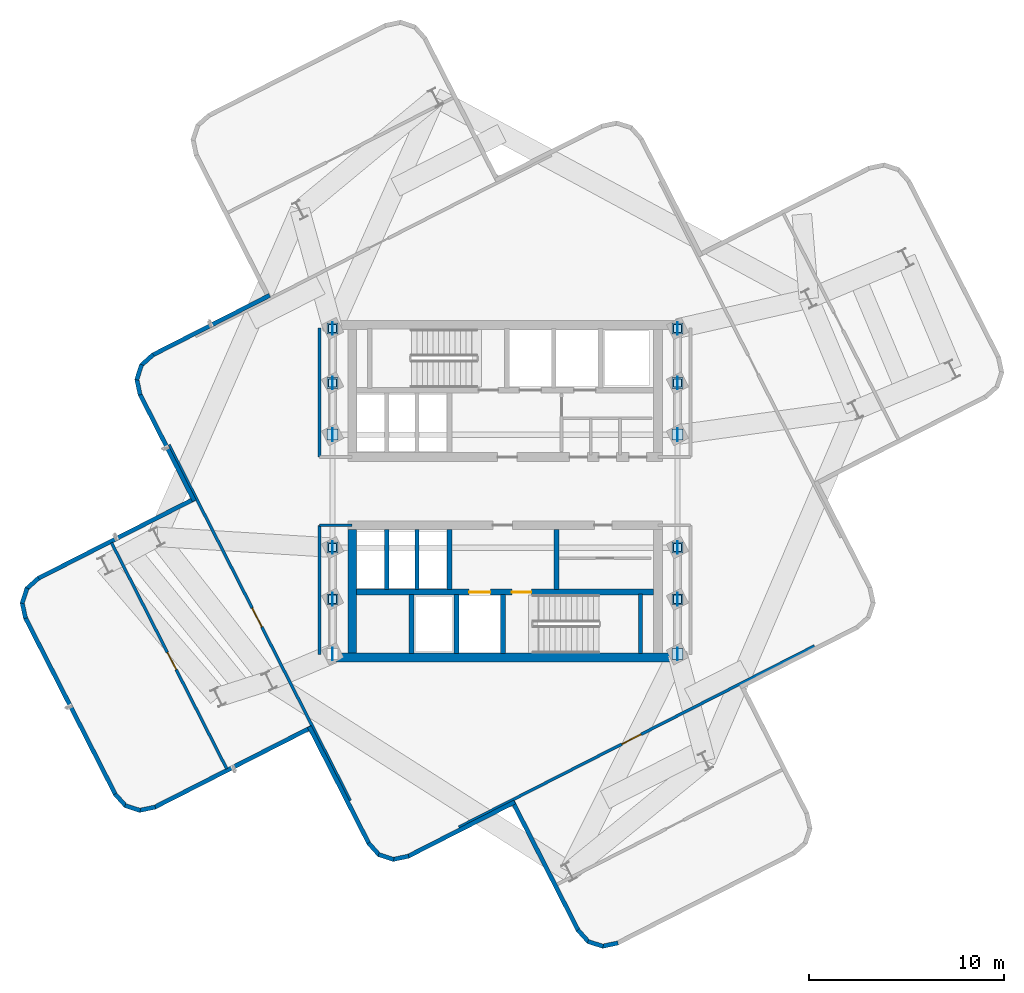
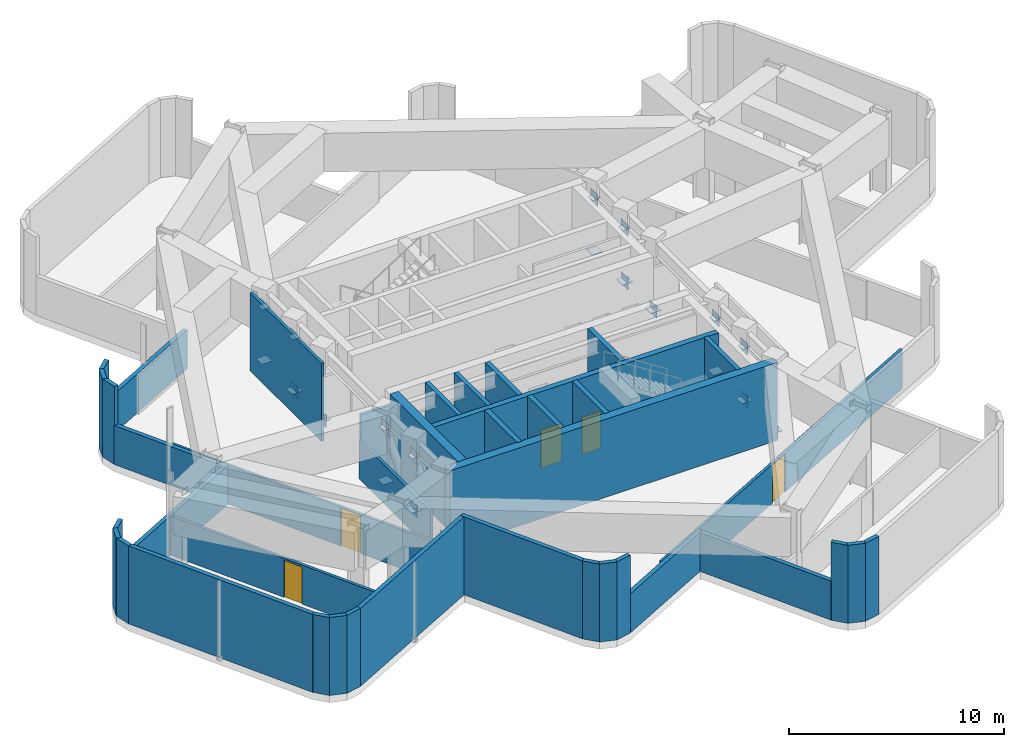
# One storey, part 3 of 6: 40 walls, 35 plates, 5 doors, 5 openings.
"""IFC4 building model written with IfcOpenShell, lengths in metres."""

from ifc_helpers import new_model, si_unit, direction, frame, frame_2d, origin, origin_2d, place, context, subcontext, project, spatial, rectangle, extrude, material, layer, layer_set, type_object, element, fill, save


model = new_model("IFC4")

# Units and contexts
model_context = context("Model", 3, precision=1e-05, world=origin(), true_north=direction((0.0, 1.0)))
body_context = subcontext(model_context, "Body", "Model", "MODEL_VIEW")
ifc_project = project(units=[si_unit("LENGTHUNIT", "METRE"), si_unit("AREAUNIT", "SQUARE_METRE"), si_unit("VOLUMEUNIT", "CUBIC_METRE"), si_unit("PLANEANGLEUNIT", "RADIAN"), si_unit("MASSUNIT", "GRAM", prefix="KILO")], contexts=[model_context])

# Site, building, storey
site_placement = place(None, origin())
site = spatial("IfcSite", under=ifc_project, at=site_placement, CompositionType="ELEMENT")
building_placement = place(site_placement, origin())
building = spatial("IfcBuilding", under=site, at=building_placement, Name="Solmarez Civic Tower", CompositionType="ELEMENT")
storey_placement = place(building_placement, frame((0.0, 0.0, 196.199951171875)))
storey = spatial("IfcBuildingStorey", under=building, at=storey_placement, Name="L52", CompositionType="ELEMENT", Elevation=196.199951171875)

# Plates
ifc_material_1 = material(Name="Steel S355", Category="steel")
ifc_layer_1 = layer(ifc_material_1, 0.02392578125)
ifc_layer_set_1 = layer_set([ifc_layer_1], Name="Steel S355")
plate_type_1 = type_object("IfcPlateType", Name="PLT-CAP-380", PredefinedType="USERDEFINED", material=ifc_layer_set_1)
for number, where, z_axis, x_axis, name in (
    (1, (-8.85009765625, -5.550048828125, 3.358154296875), (0.0, 0.0, 1.0), (1.0, 0.0, 0.0), "Steel Member End Cap Plate CAP-BRC-L52-01-1"),
    (2, (-8.85009765625, -2.89990234375, 3.358154296875), (0.0, 0.0, 1.0), (1.0, 0.0, 0.0), "Steel Member End Cap Plate CAP-BRC-L52-02-1"),
    (3, (-8.85009765625, 5.550048828125, 3.358154296875), (0.0, 0.0, 1.0), (1.0, 0.0, 0.0), "Steel Member End Cap Plate CAP-BRC-L52-03-1"),
    (4, (-8.85009765625, 8.35009765625, 3.358154296875), (0.0, 0.0, 1.0), (1.0, 0.0, 0.0), "Steel Member End Cap Plate CAP-BRC-L52-04-1"),
    (5, (8.85009765625, -5.550048828125, 3.358154296875), (0.0, 0.0, 1.0), (1.0, 0.0, 0.0), "Steel Member End Cap Plate CAP-BRC-L52-05-1"),
    (6, (8.85009765625, -2.89990234375, 3.358154296875), (0.0, 0.0, 1.0), (1.0, 0.0, 0.0), "Steel Member End Cap Plate CAP-BRC-L52-06-1"),
    (7, (8.85009765625, 5.550048828125, 3.358154296875), (0.0, 0.0, 1.0), (1.0, 0.0, 0.0), "Steel Member End Cap Plate CAP-BRC-L52-07-1"),
    (8, (8.85009765625, 8.35009765625, 3.358154296875), (0.0, 0.0, 1.0), (1.0, 0.0, 0.0), "Steel Member End Cap Plate CAP-BRC-L52-08-1"),
):
    element("IfcPlate", number, at=place(storey_placement, frame(where, z_axis=z_axis, x_axis=x_axis)), inside=storey, type_object=plate_type_1, Name=name, ObjectType="CAP_PLATE", PredefinedType="USERDEFINED", context=body_context, shape_type="SweptSolid", body=[
        extrude(rectangle(XDim=0.419921875, YDim=0.419921875, at=origin_2d()), origin(), (0.0, 0.0, 1.0), 0.02392578125),
    ])
ifc_layer_2 = layer(ifc_material_1, 0.028076171875)
ifc_layer_set_2 = layer_set([ifc_layer_2], Name="Steel S355")
plate_type_2 = type_object("IfcPlateType", Name="PLT-CAP-540", PredefinedType="USERDEFINED", material=ifc_layer_set_2)
for number, where, z_axis, x_axis, name in (
    (9, (-8.85009765625, -5.550048828125, 0.3359375), (0.0, 0.0, 1.0), (1.0, 0.0, 0.0), "Steel Member End Cap Plate CAP-CHD-L52-01-1"),
    (10, (-8.85009765625, -2.89990234375, 0.3359375), (0.0, 0.0, 1.0), (1.0, 0.0, 0.0), "Steel Member End Cap Plate CAP-CHD-L52-02-1"),
    (11, (-8.85009765625, 2.89990234375, 0.3359375), (0.0, 0.0, 1.0), (1.0, 0.0, 0.0), "Steel Member End Cap Plate CAP-CHD-L52-03-0"),
    (12, (-8.85009765625, 5.550048828125, 0.3359375), (0.0, 0.0, 1.0), (1.0, 0.0, 0.0), "Steel Member End Cap Plate CAP-CHD-L52-03-1"),
    (13, (-8.85009765625, 8.35009765625, 0.3359375), (0.0, 0.0, 1.0), (1.0, 0.0, 0.0), "Steel Member End Cap Plate CAP-CHD-L52-04-1"),
    (14, (8.85009765625, -8.35009765625, 0.3359375), (0.0, 0.0, 1.0), (1.0, 0.0, 0.0), "Steel Member End Cap Plate CAP-CHD-L52-05-0"),
    (15, (8.85009765625, -5.550048828125, 0.3359375), (0.0, 0.0, 1.0), (1.0, 0.0, 0.0), "Steel Member End Cap Plate CAP-CHD-L52-05-1"),
    (16, (8.85009765625, -2.89990234375, 0.3359375), (0.0, 0.0, 1.0), (1.0, 0.0, 0.0), "Steel Member End Cap Plate CAP-CHD-L52-06-1"),
    (17, (8.85009765625, 2.89990234375, 0.3359375), (0.0, 0.0, 1.0), (1.0, 0.0, 0.0), "Steel Member End Cap Plate CAP-CHD-L52-07-0"),
    (18, (8.85009765625, 5.550048828125, 0.3359375), (0.0, 0.0, 1.0), (1.0, 0.0, 0.0), "Steel Member End Cap Plate CAP-CHD-L52-07-1"),
    (19, (8.85009765625, 8.35009765625, 0.3359375), (0.0, 0.0, 1.0), (1.0, 0.0, 0.0), "Steel Member End Cap Plate CAP-CHD-L52-08-1"),
):
    element("IfcPlate", number, at=place(storey_placement, frame(where, z_axis=z_axis, x_axis=x_axis)), inside=storey, type_object=plate_type_2, Name=name, ObjectType="CAP_PLATE", PredefinedType="USERDEFINED", context=body_context, shape_type="SweptSolid", body=[
        extrude(rectangle(XDim=0.56005859375, YDim=0.56005859375, at=origin_2d()), origin(), (0.0, 0.0, 1.0), 0.028076171875),
    ])
ifc_layer_3 = layer(ifc_material_1, 0.031982421875)
ifc_layer_set_3 = layer_set([ifc_layer_3], Name="Steel S355")
plate_type_3 = type_object("IfcPlateType", Name="PLT-GUSSET-32", PredefinedType="USERDEFINED", material=ifc_layer_set_3)
for number, where, z_axis, x_axis, name in (
    (20, (-8.85009765625, -8.35009765625, 0.025146484375), (0.0, 0.0, 1.0), (0.0, 1.0, 0.0), "L52 Structural Gusset Plate GUS-L52-01-0"),
    (21, (-8.85009765625, -5.550048828125, 3.045166015625), (0.0, 0.0, 1.0), (0.0, 1.0, 0.0), "L52 Structural Gusset Plate GUS-L52-01-1"),
    (22, (-8.85009765625, -5.550048828125, 0.025146484375), (0.0, 0.0, 1.0), (0.0, 1.0, 0.0), "L52 Structural Gusset Plate GUS-L52-02-0"),
    (23, (-8.85009765625, -2.89990234375, 3.045166015625), (0.0, 0.0, 1.0), (0.0, 1.0, 0.0), "L52 Structural Gusset Plate GUS-L52-02-1"),
    (24, (-8.85009765625, 2.89990234375, 0.025146484375), (0.0, 0.0, 1.0), (0.0, 1.0, 0.0), "L52 Structural Gusset Plate GUS-L52-03-0"),
    (25, (-8.85009765625, 5.550048828125, 3.045166015625), (0.0, 0.0, 1.0), (0.0, 1.0, 0.0), "L52 Structural Gusset Plate GUS-L52-03-1"),
    (26, (-8.85009765625, 5.550048828125, 0.025146484375), (0.0, 0.0, 1.0), (0.0, 1.0, 0.0), "L52 Structural Gusset Plate GUS-L52-04-0"),
    (27, (-8.85009765625, 8.35009765625, 3.045166015625), (0.0, 0.0, 1.0), (0.0, 1.0, 0.0), "L52 Structural Gusset Plate GUS-L52-04-1"),
    (28, (8.85009765625, -8.35009765625, 0.025146484375), (0.0, 0.0, 1.0), (0.0, 1.0, 0.0), "L52 Structural Gusset Plate GUS-L52-05-0"),
    (29, (8.85009765625, -5.550048828125, 3.045166015625), (0.0, 0.0, 1.0), (0.0, 1.0, 0.0), "L52 Structural Gusset Plate GUS-L52-05-1"),
    (30, (8.85009765625, -5.550048828125, 0.025146484375), (0.0, 0.0, 1.0), (0.0, 1.0, 0.0), "L52 Structural Gusset Plate GUS-L52-06-0"),
    (31, (8.85009765625, -2.89990234375, 3.045166015625), (0.0, 0.0, 1.0), (0.0, 1.0, 0.0), "L52 Structural Gusset Plate GUS-L52-06-1"),
    (32, (8.85009765625, 2.89990234375, 0.025146484375), (0.0, 0.0, 1.0), (0.0, 1.0, 0.0), "L52 Structural Gusset Plate GUS-L52-07-0"),
    (33, (8.85009765625, 5.550048828125, 3.045166015625), (0.0, 0.0, 1.0), (0.0, 1.0, 0.0), "L52 Structural Gusset Plate GUS-L52-07-1"),
    (34, (8.85009765625, 5.550048828125, 0.025146484375), (0.0, 0.0, 1.0), (0.0, 1.0, 0.0), "L52 Structural Gusset Plate GUS-L52-08-0"),
    (35, (8.85009765625, 8.35009765625, 3.045166015625), (0.0, 0.0, 1.0), (0.0, 1.0, 0.0), "L52 Structural Gusset Plate GUS-L52-08-1"),
):
    element("IfcPlate", number, at=place(storey_placement, frame(where, z_axis=z_axis, x_axis=x_axis)), inside=storey, type_object=plate_type_3, Name=name, ObjectType="GUSSET_PLATE", PredefinedType="USERDEFINED", context=body_context, shape_type="SweptSolid", body=[
        extrude(rectangle(XDim=0.64990234375, YDim=0.031982421875, at=origin_2d()), origin(), (0.0, 0.0, 1.0), 0.64990234375),
    ])

# Walls
ifc_material_2 = material(Name="Concrete C50/60", Category="concrete")
ifc_layer_4 = layer(ifc_material_2, 0.449951171875)
ifc_layer_set_4 = layer_set([ifc_layer_4], Name="Concrete C50/60")
wall_type_1 = type_object("IfcWallType", Name="WALL-CORE-450", PredefinedType="SHEAR", material=ifc_layer_set_4)
wall_1_placement = place(storey_placement, frame((8.780029296875, -8.534912109375, 0.0), z_axis=(0.0, 0.0, 1.0), x_axis=(-1.0, 0.0, 0.0)))
element("IfcWall", 36, at=wall_1_placement, inside=storey, type_object=wall_type_1, Name="L52 Split-Core Structural Wall SCW-S-L52", PredefinedType="SHEAR", context=body_context, shape_type="SweptSolid", body=[
    extrude(rectangle(XDim=17.56005859375, YDim=0.449951171875, at=frame_2d((8.780029296875, 0.0))), origin(), (0.0, 0.0, 1.0), 4.420166015625),
])
wall_2_placement = place(storey_placement, frame((-7.844970703125, -8.31005859375, 0.0), z_axis=(0.0, 0.0, 1.0), x_axis=(0.0, 1.0, 0.0)))
element("IfcWall", 37, at=wall_2_placement, inside=storey, type_object=wall_type_1, Name="L52 Split-Core Structural Wall SCW-W-L52", PredefinedType="SHEAR", context=body_context, shape_type="SweptSolid", body=[
    extrude(rectangle(XDim=6.3349609375, YDim=0.449951171875, at=frame_2d((3.16748046875, 0.0))), origin(), (0.0, 0.0, 1.0), 4.420166015625),
])
ifc_material_3 = material(Name="Precast concrete C40/50", Category="concrete")
ifc_layer_5 = layer(ifc_material_3, 0.219970703125)
ifc_layer_set_5 = layer_set([ifc_layer_5], Name="Precast concrete C40/50")
wall_type_2 = type_object("IfcWallType", Name="WALL-EXT-220", PredefinedType="SOLIDWALL", material=ifc_layer_set_5)
wall_3_placement = place(storey_placement, frame((-9.93310546875, -12.1201171875, 0.0), z_axis=(0.0, 0.0, 1.0), x_axis=(-0.89100493447, -0.453993619724, 0.0)))
element("IfcWall", 38, at=wall_3_placement, inside=storey, type_object=wall_type_2, Name="L52 Exterior Precast Wall 2", PredefinedType="SOLIDWALL", context=body_context, shape_type="SweptSolid", body=[
    extrude(rectangle(XDim=9.056884765625, YDim=0.219970703125, at=frame_2d((4.5283203125, 0.0))), origin(), (0.0, 0.0, 1.0), 4.420166015625),
])
wall_4_placement = place(storey_placement, frame((-17.95703125, -16.216064453125, 0.0), z_axis=(0.0, 0.0, 1.0), x_axis=(-0.978237730275, -0.207487211814, 0.0)))
element("IfcWall", 39, at=wall_4_placement, inside=storey, type_object=wall_type_2, Name="L52 Exterior Precast Wall 3", PredefinedType="SOLIDWALL", context=body_context, shape_type="SweptSolid", body=[
    extrude(rectangle(XDim=0.8330078125, YDim=0.219970703125, at=frame_2d((0.41650390625, 0.0))), origin(), (0.0, 0.0, 1.0), 4.420166015625),
])
wall_5_placement = place(storey_placement, frame((-18.72412109375, -16.39208984375, 0.0), z_axis=(0.0, 0.0, 1.0), x_axis=(-0.951125937775, 0.308803255314, 0.0)))
element("IfcWall", 40, at=wall_5_placement, inside=storey, type_object=wall_type_2, Name="L52 Exterior Precast Wall 4", PredefinedType="SOLIDWALL", context=body_context, shape_type="SweptSolid", body=[
    extrude(rectangle(XDim=0.81982421875, YDim=0.219970703125, at=frame_2d((0.409912109375, 0.0))), origin(), (0.0, 0.0, 1.0), 4.420166015625),
])
wall_6_placement = place(storey_placement, frame((-19.462890625, -16.166015625, 0.0), z_axis=(0.0, 0.0, 1.0), x_axis=(-0.669029293194, 0.743236035758, 0.0)))
element("IfcWall", 41, at=wall_6_placement, inside=storey, type_object=wall_type_2, Name="L52 Exterior Precast Wall 5", PredefinedType="SOLIDWALL", context=body_context, shape_type="SweptSolid", body=[
    extrude(rectangle(XDim=0.835693359375, YDim=0.219970703125, at=frame_2d((0.41796875, 0.0))), origin(), (0.0, 0.0, 1.0), 4.420166015625),
])
wall_7_placement = place(storey_placement, frame((-19.993896484375, -15.5859375, 0.0), z_axis=(0.0, 0.0, 1.0), x_axis=(-0.453908605083, 0.891048246859, 0.0)))
element("IfcWall", 42, at=wall_7_placement, inside=storey, type_object=wall_type_2, Name="L52 Exterior Precast Wall 6", PredefinedType="SOLIDWALL", context=body_context, shape_type="SweptSolid", body=[
    extrude(rectangle(XDim=10.220458984375, YDim=0.219970703125, at=frame_2d((5.1103515625, 0.0))), origin(), (0.0, 0.0, 1.0), 4.420166015625),
])
wall_8_placement = place(storey_placement, frame((-24.616943359375, -6.52490234375, 0.0), z_axis=(0.0, 0.0, 1.0), x_axis=(-0.207767630705, 0.978178210569, 0.0)))
element("IfcWall", 43, at=wall_8_placement, inside=storey, type_object=wall_type_2, Name="L52 Exterior Precast Wall 7", PredefinedType="SOLIDWALL", context=body_context, shape_type="SweptSolid", body=[
    extrude(rectangle(XDim=0.8330078125, YDim=0.219970703125, at=frame_2d((0.41650390625, 0.0))), origin(), (0.0, 0.0, 1.0), 4.420166015625),
])
wall_9_placement = place(storey_placement, frame((-24.79296875, -5.758056640625, 0.0), z_axis=(0.0, 0.0, 1.0), x_axis=(0.309874227346, 0.950777557174, 0.0)))
element("IfcWall", 44, at=wall_9_placement, inside=storey, type_object=wall_type_2, Name="L52 Exterior Precast Wall 8", PredefinedType="SOLIDWALL", context=body_context, shape_type="SweptSolid", body=[
    extrude(rectangle(XDim=0.8193359375, YDim=0.219970703125, at=frame_2d((0.40966796875, 0.0))), origin(), (0.0, 0.0, 1.0), 4.420166015625),
])
wall_10_placement = place(storey_placement, frame((-24.56591796875, -5.02001953125, 0.0), z_axis=(0.0, 0.0, 1.0), x_axis=(0.742581132082, 0.669756121492, 0.0)))
element("IfcWall", 45, at=wall_10_placement, inside=storey, type_object=wall_type_2, Name="L52 Exterior Precast Wall 9", PredefinedType="SOLIDWALL", context=body_context, shape_type="SweptSolid", body=[
    extrude(rectangle(XDim=0.834716796875, YDim=0.219970703125, at=frame_2d((0.41748046875, 0.0))), origin(), (0.0, 0.0, 1.0), 4.420166015625),
])
wall_11_placement = place(storey_placement, frame((-23.987060546875, -4.489013671875, 0.0), z_axis=(0.0, 0.0, 1.0), x_axis=(0.891021807194, 0.453960503904, 0.0)))
element("IfcWall", 46, at=wall_11_placement, inside=storey, type_object=wall_type_2, Name="L52 Exterior Precast Wall 10", PredefinedType="SOLIDWALL", context=body_context, shape_type="SweptSolid", body=[
    extrude(rectangle(XDim=9.05810546875, YDim=0.219970703125, at=frame_2d((4.529052734375, 0.0))), origin(), (0.0, 0.0, 1.0), 2.212158203125),
])
wall_12_placement = place(storey_placement, frame((-15.9541015625, -0.4951171875, 0.0), z_axis=(0.0, 0.0, 1.0), x_axis=(-0.454003577481, 0.890999860625, 0.0)))
element("IfcWall", 47, at=wall_12_placement, inside=storey, type_object=wall_type_2, Name="L52 Exterior Precast Wall 13", PredefinedType="SOLIDWALL", context=body_context, shape_type="SweptSolid", body=[
    extrude(rectangle(XDim=6.158203125, YDim=0.219970703125, at=frame_2d((3.0791015625, 0.0))), origin(), (0.0, 0.0, 1.0), 2.212158203125),
])
wall_13_placement = place(storey_placement, frame((-18.73388671875, 4.946044921875, 0.0), z_axis=(0.0, 0.0, 1.0), x_axis=(-0.207767630705, 0.978178210569, 0.0)))
element("IfcWall", 48, at=wall_13_placement, inside=storey, type_object=wall_type_2, Name="L52 Exterior Precast Wall 14", PredefinedType="SOLIDWALL", context=body_context, shape_type="SweptSolid", body=[
    extrude(rectangle(XDim=0.8330078125, YDim=0.219970703125, at=frame_2d((0.41650390625, 0.0))), origin(), (0.0, 0.0, 1.0), 4.420166015625),
])
wall_14_placement = place(storey_placement, frame((-18.909912109375, 5.712890625, 0.0), z_axis=(0.0, 0.0, 1.0), x_axis=(0.309523466815, 0.950891804303, 0.0)))
element("IfcWall", 49, at=wall_14_placement, inside=storey, type_object=wall_type_2, Name="L52 Exterior Precast Wall 15", PredefinedType="SOLIDWALL", context=body_context, shape_type="SweptSolid", body=[
    extrude(rectangle(XDim=0.8203125, YDim=0.219970703125, at=frame_2d((0.41015625, 0.0))), origin(), (0.0, 0.0, 1.0), 4.420166015625),
])
wall_15_placement = place(storey_placement, frame((-18.68310546875, 6.451904296875, 0.0), z_axis=(0.0, 0.0, 1.0), x_axis=(0.743236035758, 0.669029293194, 0.0)))
element("IfcWall", 50, at=wall_15_placement, inside=storey, type_object=wall_type_2, Name="L52 Exterior Precast Wall 16", PredefinedType="SOLIDWALL", context=body_context, shape_type="SweptSolid", body=[
    extrude(rectangle(XDim=0.835693359375, YDim=0.219970703125, at=frame_2d((0.41796875, 0.0))), origin(), (0.0, 0.0, 1.0), 4.420166015625),
])
wall_16_placement = place(storey_placement, frame((-18.10302734375, 6.98291015625, 0.0), z_axis=(0.0, 0.0, 1.0), x_axis=(0.890990691232, 0.454021572326, 0.0)))
element("IfcWall", 51, at=wall_16_placement, inside=storey, type_object=wall_type_2, Name="L52 Exterior Precast Wall 17", PredefinedType="SOLIDWALL", context=body_context, shape_type="SweptSolid", body=[
    extrude(rectangle(XDim=6.757568359375, YDim=0.219970703125, at=frame_2d((3.37890625, 0.0))), origin(), (0.0, 0.0, 1.0), 2.212158203125),
])
wall_17_placement = place(storey_placement, frame((5.799072265625, -23.19189453125, 0.0), z_axis=(0.0, 0.0, 1.0), x_axis=(-0.978190855041, -0.207708091112, 0.0)))
element("IfcWall", 52, at=wall_17_placement, inside=storey, type_object=wall_type_2, Name="L52 Exterior Precast Wall 61", PredefinedType="SOLIDWALL", context=body_context, shape_type="SweptSolid", body=[
    extrude(rectangle(XDim=0.833251953125, YDim=0.219970703125, at=frame_2d((0.41650390625, 0.0))), origin(), (0.0, 0.0, 1.0), 4.420166015625),
])
wall_18_placement = place(storey_placement, frame((5.031982421875, -23.367919921875, 0.0), z_axis=(0.0, 0.0, 1.0), x_axis=(-0.950891804303, 0.309523466815, 0.0)))
element("IfcWall", 53, at=wall_18_placement, inside=storey, type_object=wall_type_2, Name="L52 Exterior Precast Wall 62", PredefinedType="SOLIDWALL", context=body_context, shape_type="SweptSolid", body=[
    extrude(rectangle(XDim=0.8203125, YDim=0.219970703125, at=frame_2d((0.41015625, 0.0))), origin(), (0.0, 0.0, 1.0), 4.420166015625),
])
wall_19_placement = place(storey_placement, frame((4.29296875, -23.14111328125, 0.0), z_axis=(0.0, 0.0, 1.0), x_axis=(-0.669029293194, 0.743236035758, 0.0)))
element("IfcWall", 54, at=wall_19_placement, inside=storey, type_object=wall_type_2, Name="L52 Exterior Precast Wall 63", PredefinedType="SOLIDWALL", context=body_context, shape_type="SweptSolid", body=[
    extrude(rectangle(XDim=0.835693359375, YDim=0.219970703125, at=frame_2d((0.41796875, 0.0))), origin(), (0.0, 0.0, 1.0), 4.420166015625),
])
wall_20_placement = place(storey_placement, frame((3.761962890625, -22.56103515625, 0.0), z_axis=(0.0, 0.0, 1.0), x_axis=(-0.453905674287, 0.89104973983, 0.0)))
element("IfcWall", 55, at=wall_20_placement, inside=storey, type_object=wall_type_2, Name="L52 Exterior Precast Wall 64", PredefinedType="SOLIDWALL", context=body_context, shape_type="SweptSolid", body=[
    extrude(rectangle(XDim=7.45751953125, YDim=0.219970703125, at=frame_2d((3.728759765625, 0.0))), origin(), (0.0, 0.0, 1.0), 2.212158203125),
])
wall_21_placement = place(storey_placement, frame((0.4951171875, -15.9541015625, 0.0), z_axis=(0.0, 0.0, 1.0), x_axis=(-0.890999860625, -0.454003577481, 0.0)))
element("IfcWall", 56, at=wall_21_placement, inside=storey, type_object=wall_type_2, Name="L52 Exterior Precast Wall 67", PredefinedType="SOLIDWALL", context=body_context, shape_type="SweptSolid", body=[
    extrude(rectangle(XDim=6.158203125, YDim=0.219970703125, at=frame_2d((3.0791015625, 0.0))), origin(), (0.0, 0.0, 1.0), 2.212158203125),
])
wall_22_placement = place(storey_placement, frame((-4.946044921875, -18.73388671875, 0.0), z_axis=(0.0, 0.0, 1.0), x_axis=(-0.978178210569, -0.207767630705, 0.0)))
element("IfcWall", 57, at=wall_22_placement, inside=storey, type_object=wall_type_2, Name="L52 Exterior Precast Wall 68", PredefinedType="SOLIDWALL", context=body_context, shape_type="SweptSolid", body=[
    extrude(rectangle(XDim=0.8330078125, YDim=0.219970703125, at=frame_2d((0.41650390625, 0.0))), origin(), (0.0, 0.0, 1.0), 4.420166015625),
])
wall_23_placement = place(storey_placement, frame((-5.712890625, -18.909912109375, 0.0), z_axis=(0.0, 0.0, 1.0), x_axis=(-0.950891804303, 0.309523466815, 0.0)))
element("IfcWall", 58, at=wall_23_placement, inside=storey, type_object=wall_type_2, Name="L52 Exterior Precast Wall 69", PredefinedType="SOLIDWALL", context=body_context, shape_type="SweptSolid", body=[
    extrude(rectangle(XDim=0.8203125, YDim=0.219970703125, at=frame_2d((0.41015625, 0.0))), origin(), (0.0, 0.0, 1.0), 4.420166015625),
])
wall_24_placement = place(storey_placement, frame((-6.451904296875, -18.68310546875, 0.0), z_axis=(0.0, 0.0, 1.0), x_axis=(-0.669029293194, 0.743236035758, 0.0)))
element("IfcWall", 59, at=wall_24_placement, inside=storey, type_object=wall_type_2, Name="L52 Exterior Precast Wall 70", PredefinedType="SOLIDWALL", context=body_context, shape_type="SweptSolid", body=[
    extrude(rectangle(XDim=0.835693359375, YDim=0.219970703125, at=frame_2d((0.41796875, 0.0))), origin(), (0.0, 0.0, 1.0), 4.420166015625),
])
wall_25_placement = place(storey_placement, frame((-6.98291015625, -18.10302734375, 0.0), z_axis=(0.0, 0.0, 1.0), x_axis=(-0.454021572326, 0.890990691232, 0.0)))
element("IfcWall", 60, at=wall_25_placement, inside=storey, type_object=wall_type_2, Name="L52 Exterior Precast Wall 71", PredefinedType="SOLIDWALL", context=body_context, shape_type="SweptSolid", body=[
    extrude(rectangle(XDim=6.757568359375, YDim=0.219970703125, at=frame_2d((3.37890625, 0.0))), origin(), (0.0, 0.0, 1.0), 4.420166015625),
])
ifc_material_4 = material(Name="Gypsum Board Acoustic Steel-Stud Partition", Category="steel")
ifc_layer_6 = layer(ifc_material_4, 0.14990234375)
ifc_layer_set_6 = layer_set([ifc_layer_6], Name="Gypsum Board Acoustic Steel-Stud Partition")
wall_type_3 = type_object("IfcWallType", Name="WALL-INT-FIRE-150", PredefinedType="PARTITIONING", material=ifc_layer_set_6)
wall_26_placement = place(storey_placement, frame((-9.52001953125, 1.75, 0.0), z_axis=(0.0, 0.0, 1.0), x_axis=(0.0, 1.0, 0.0)))
element("IfcWall", 61, at=wall_26_placement, inside=storey, type_object=wall_type_3, Name="L52 Interior Partition CHW-L52-WN1", PredefinedType="PARTITIONING", context=body_context, shape_type="SweptSolid", body=[
    extrude(rectangle(XDim=6.6298828125, YDim=0.14990234375, at=frame_2d((3.31494140625, 0.0))), origin(), (0.0, 0.0, 1.0), 4.420166015625),
])
wall_27_placement = place(storey_placement, frame((-9.52001953125, -8.3798828125, 0.0), z_axis=(0.0, 0.0, 1.0), x_axis=(0.0, 1.0, 0.0)))
element("IfcWall", 62, at=wall_27_placement, inside=storey, type_object=wall_type_3, Name="L52 Interior Partition CHW-L52-WS1", PredefinedType="PARTITIONING", context=body_context, shape_type="SweptSolid", body=[
    extrude(rectangle(XDim=6.6298828125, YDim=0.14990234375, at=frame_2d((3.31494140625, 0.0))), origin(), (0.0, 0.0, 1.0), 2.212158203125),
])
wall_28_placement = place(storey_placement, frame((-7.85009765625, -1.75, 0.0), z_axis=(0.0, 0.0, 1.0), x_axis=(-1.0, 0.0, 0.0)))
element("IfcWall", 63, at=wall_28_placement, inside=storey, type_object=wall_type_3, Name="L52 Interior Partition CHW-L52-WS3", PredefinedType="PARTITIONING", context=body_context, shape_type="SweptSolid", body=[
    extrude(rectangle(XDim=1.669921875, YDim=0.14990234375, at=frame_2d((0.8349609375, 0.0))), origin(), (0.0, 0.0, 1.0), 3.650146484375),
])

# Wall, opening, door
wall_29_placement = place(storey_placement, frame((15.886962890625, -7.943115234375, 0.0), z_axis=(0.0, 0.0, 1.0), x_axis=(-0.890987682839, -0.454027476073, 0.0)))
wall_29 = element("IfcWall", 64, at=wall_29_placement, inside=storey, type_object=wall_type_3, Name="L52 Interior Partition PT-L52-S-ENT", PredefinedType="PARTITIONING", context=body_context, shape_type="SweptSolid", body=[
    extrude(rectangle(XDim=20.49853515625, YDim=0.14990234375, at=frame_2d((10.249267578125, 0.0))), origin(), (0.0, 0.0, 1.0), 2.212158203125),
])
opening_1_placement = place(wall_29_placement, frame((10.0, 0.0, 0.0)))
opening_1 = element("IfcOpeningElement", 65, at=opening_1_placement, cuts=wall_29, Name="Opening D-07", PredefinedType="OPENING", context=body_context, shape_type="SweptSolid", body=[
    extrude(rectangle(XDim=1.10009765625, YDim=2.14990234375, at=frame_2d((0.550048828125, 1.074951171875))), frame((0.0, 0.0849609375, 0.0), z_axis=(0.0, -1.0, 0.0), x_axis=(1.0, 0.0, 0.0)), (0.0, 0.0, 1.0), 0.169921875),
])
ifc_material_5 = material(Name="Heavy-Duty Fire Exit Door", Category="wood")
door_type_1 = type_object("IfcDoorType", Name="DOOR-FD90-1100", OperationType="NOTDEFINED", PredefinedType="DOOR", material=ifc_material_5)
door_1_placement = place(opening_1_placement, origin())
door_1 = element("IfcDoor", 66, at=door_1_placement, inside=storey, type_object=door_type_1, Name="L52 Air Handling Fan Plant Room Door", OperationType="SINGLE_SWING_RIGHT", OverallHeight=2.14990234375, OverallWidth=1.10009765625, PredefinedType="DOOR", context=body_context, shape_type="SweptSolid", body=[
    extrude(rectangle(XDim=1.10009765625, YDim=2.14990234375, at=frame_2d((0.550048828125, 1.074951171875))), frame((0.0, 0.02490234375, 0.0), z_axis=(0.0, -1.0, 0.0), x_axis=(1.0, 0.0, 0.0)), (0.0, 0.0, 1.0), 0.050048828125),
])
fill(opening_1, door_1)

wall_30_placement = place(storey_placement, frame((-7.943115234375, -15.886962890625, 0.0), z_axis=(0.0, 0.0, 1.0), x_axis=(-0.454027476073, 0.890987682839, 0.0)))
wall_30 = element("IfcWall", 67, at=wall_30_placement, inside=storey, type_object=wall_type_3, Name="L52 Interior Partition PT-L52-W-ENT", PredefinedType="PARTITIONING", context=body_context, shape_type="SweptSolid", body=[
    extrude(rectangle(XDim=20.49853515625, YDim=0.14990234375, at=frame_2d((10.249267578125, 0.0))), origin(), (0.0, 0.0, 1.0), 2.212158203125),
])
opening_2_placement = place(wall_30_placement, frame((10.0, 0.0, 0.0)))
opening_2 = element("IfcOpeningElement", 68, at=opening_2_placement, cuts=wall_30, Name="Opening D-07", PredefinedType="OPENING", context=body_context, shape_type="SweptSolid", body=[
    extrude(rectangle(XDim=1.10009765625, YDim=2.14990234375, at=frame_2d((0.550048828125, 1.074951171875))), frame((0.0, 0.0849609375, 0.0), z_axis=(0.0, -1.0, 0.0), x_axis=(1.0, 0.0, 0.0)), (0.0, 0.0, 1.0), 0.169921875),
])
door_2_placement = place(opening_2_placement, origin())
door_2 = element("IfcDoor", 69, at=door_2_placement, inside=storey, type_object=door_type_1, Name="L52 Booster Pump and Water Tank Plant Room Door", OperationType="SINGLE_SWING_RIGHT", OverallHeight=2.14990234375, OverallWidth=1.10009765625, PredefinedType="DOOR", context=body_context, shape_type="SweptSolid", body=[
    extrude(rectangle(XDim=1.10009765625, YDim=2.14990234375, at=frame_2d((0.550048828125, 1.074951171875))), frame((0.0, 0.02490234375, 0.0), z_axis=(0.0, -1.0, 0.0), x_axis=(1.0, 0.0, 0.0)), (0.0, 0.0, 1.0), 0.050048828125),
])
fill(opening_2, door_2)

wall_31_placement = place(storey_placement, frame((-14.285888671875, -14.25390625, 0.0), z_axis=(0.0, 0.0, 1.0), x_axis=(-0.454050966536, 0.890975712232, 0.0)))
wall_31 = element("IfcWall", 70, at=wall_31_placement, inside=storey, type_object=wall_type_3, Name="L52 Interior Partition PT-L52-W-MID", PredefinedType="PARTITIONING", context=body_context, shape_type="SweptSolid", body=[
    extrude(rectangle(XDim=13.029296875, YDim=0.14990234375, at=frame_2d((6.5146484375, 0.0))), origin(), (0.0, 0.0, 1.0), 2.212158203125),
])
opening_3_placement = place(wall_31_placement, frame((5.715087890625, 0.0, 0.0)))
opening_3 = element("IfcOpeningElement", 71, at=opening_3_placement, cuts=wall_31, Name="Opening D-04", PredefinedType="OPENING", context=body_context, shape_type="SweptSolid", body=[
    extrude(rectangle(XDim=1.0, YDim=2.10009765625, at=frame_2d((0.5, 1.050048828125))), frame((0.0, 0.0849609375, 0.0), z_axis=(0.0, -1.0, 0.0), x_axis=(1.0, 0.0, 0.0)), (0.0, 0.0, 1.0), 0.169921875),
])
ifc_material_6 = material(Name="Steel-Faced Acoustic Fire Door", Category="steel")
door_type_2 = type_object("IfcDoorType", Name="DOOR-FD60-1000", OperationType="NOTDEFINED", PredefinedType="DOOR", material=ifc_material_6)
door_3_placement = place(opening_3_placement, origin())
door_3 = element("IfcDoor", 72, at=door_3_placement, inside=storey, type_object=door_type_2, Name="L52 Belt Truss Mechanical Plant Room Door", OperationType="SINGLE_SWING_RIGHT", OverallHeight=2.10009765625, OverallWidth=1.0, PredefinedType="DOOR", context=body_context, shape_type="SweptSolid", body=[
    extrude(rectangle(XDim=1.0, YDim=2.10009765625, at=frame_2d((0.5, 1.050048828125))), frame((0.0, 0.02490234375, 0.0), z_axis=(0.0, -1.0, 0.0), x_axis=(1.0, 0.0, 0.0)), (0.0, 0.0, 1.0), 0.050048828125),
])
fill(opening_3, door_3)

# Wall, openings, doors
ifc_layer_7 = layer(ifc_material_2, 0.300048828125)
ifc_layer_set_7 = layer_set([ifc_layer_7], Name="Concrete C50/60")
wall_type_4 = type_object("IfcWallType", Name="WALL-STR-300", PredefinedType="SOLIDWALL", material=ifc_layer_set_7)
wall_32_placement = place(storey_placement, frame((-7.6201171875, -5.179931640625, 0.0), z_axis=(0.0, 0.0, 1.0), x_axis=(1.0, 0.0, 0.0)))
wall_32 = element("IfcWall", 73, at=wall_32_placement, inside=storey, type_object=wall_type_4, Name="L52 Split-Core Structural Wall SCW-M-L52", PredefinedType="SOLIDWALL", context=body_context, shape_type="SweptSolid", body=[
    extrude(rectangle(XDim=15.240234375, YDim=0.300048828125, at=frame_2d((7.6201171875, 0.0))), origin(), (0.0, 0.0, 1.0), 4.420166015625),
])
opening_4_placement = place(wall_32_placement, frame((5.77001953125, 0.0, 0.0)))
opening_4 = element("IfcOpeningElement", 74, at=opening_4_placement, cuts=wall_32, Name="Opening LD-02", PredefinedType="OPENING", context=body_context, shape_type="SweptSolid", body=[
    extrude(rectangle(XDim=1.10009765625, YDim=2.14990234375, at=frame_2d((0.550048828125, 1.074951171875))), frame((0.0, 0.159912109375, 0.0), z_axis=(0.0, -1.0, 0.0), x_axis=(1.0, 0.0, 0.0)), (0.0, 0.0, 1.0), 0.320068359375),
])
opening_5_placement = place(wall_32_placement, frame((7.969970703125, 0.0, 0.0)))
opening_5 = element("IfcOpeningElement", 75, at=opening_5_placement, cuts=wall_32, Name="Opening D-05", PredefinedType="OPENING", context=body_context, shape_type="SweptSolid", body=[
    extrude(rectangle(XDim=1.0, YDim=2.10009765625, at=frame_2d((0.5, 1.050048828125))), frame((0.0, 0.159912109375, 0.0), z_axis=(0.0, -1.0, 0.0), x_axis=(1.0, 0.0, 0.0)), (0.0, 0.0, 1.0), 0.320068359375),
])
ifc_material_7 = material(Name="Fire-Rated Stairwell Exit Door", Category="wood")
door_type_3 = type_object("IfcDoorType", Name="DOOR-FD90-1000", OperationType="NOTDEFINED", PredefinedType="DOOR", material=ifc_material_7)
door_4_placement = place(opening_5_placement, origin())
door_4 = element("IfcDoor", 76, at=door_4_placement, inside=storey, type_object=door_type_3, Name="L52 South Exit Stair Door ST-2", OperationType="SINGLE_SWING_RIGHT", OverallHeight=2.10009765625, OverallWidth=1.0, PredefinedType="DOOR", context=body_context, shape_type="SweptSolid", body=[
    extrude(rectangle(XDim=1.0, YDim=2.10009765625, at=frame_2d((0.5, 1.050048828125))), frame((0.0, 0.02490234375, 0.0), z_axis=(0.0, -1.0, 0.0), x_axis=(1.0, 0.0, 0.0)), (0.0, 0.0, 1.0), 0.050048828125),
])
fill(opening_5, door_4)
ifc_material_8 = material(Name="Stainless Firefighting Lift Landing Sliding Door", Category="aluminium")
door_type_4 = type_object("IfcDoorType", Name="DOOR-LD-FF-1100", OperationType="DOUBLE_DOOR_SLIDING", PredefinedType="DOOR", material=ifc_material_8)
door_5_placement = place(opening_4_placement, origin())
door_5 = element("IfcDoor", 77, at=door_5_placement, inside=storey, type_object=door_type_4, Name="L52 Firefighting Lift Landing Door FFL-2", OperationType="DOUBLE_DOOR_SLIDING", OverallHeight=2.14990234375, OverallWidth=1.10009765625, PredefinedType="DOOR", context=body_context, shape_type="SweptSolid", body=[
    extrude(rectangle(XDim=1.10009765625, YDim=2.14990234375, at=frame_2d((0.550048828125, 1.074951171875))), frame((0.0, 0.02490234375, 0.0), z_axis=(0.0, -1.0, 0.0), x_axis=(1.0, 0.0, 0.0)), (0.0, 0.0, 1.0), 0.050048828125),
])
fill(opening_4, door_5)

# Walls
wall_33_placement = place(storey_placement, frame((6.949951171875, -8.340087890625, 0.0), z_axis=(0.0, 0.0, 1.0), x_axis=(0.0, 1.0, 0.0)))
element("IfcWall", 78, at=wall_33_placement, inside=storey, type_object=wall_type_4, Name="L52 Split-Core Structural Wall SHW-SE-L52", PredefinedType="SOLIDWALL", context=body_context, shape_type="SweptSolid", body=[
    extrude(rectangle(XDim=3.06005859375, YDim=0.219970703125, at=frame_2d((1.530029296875, 0.0))), origin(), (0.0, 0.0, 1.0), 4.420166015625),
])
for number, where, z_axis, x_axis, name in (
    (79, (-0.10009765625, -8.340087890625, 0.0), (0.0, 0.0, 1.0), (0.0, 1.0, 0.0), "L52 Split-Core Structural Wall SHW-S1-L52"),
    (80, (-2.5, -8.340087890625, 0.0), (0.0, 0.0, 1.0), (0.0, 1.0, 0.0), "L52 Split-Core Structural Wall SHW-S2-L52"),
    (81, (-4.800048828125, -8.340087890625, 0.0), (0.0, 0.0, 1.0), (0.0, 1.0, 0.0), "L52 Split-Core Structural Wall SHW-S3-L52"),
):
    element("IfcWall", number, at=place(storey_placement, frame(where, z_axis=z_axis, x_axis=x_axis)), inside=storey, type_object=wall_type_4, Name=name, PredefinedType="SOLIDWALL", context=body_context, shape_type="SweptSolid", body=[
        extrude(rectangle(XDim=3.0400390625, YDim=0.25, at=frame_2d((1.52001953125, 0.0))), origin(), (0.0, 0.0, 1.0), 4.420166015625),
    ])
for number, where, z_axis, x_axis, name in (
    (82, (-2.85009765625, -5.050048828125, 0.0), (0.0, 0.0, 1.0), (0.0, 1.0, 0.0), "L52 Split-Core Structural Wall SHW-SL1-L52"),
    (83, (2.64990234375, -5.050048828125, 0.0), (0.0, 0.0, 1.0), (0.0, 1.0, 0.0), "L52 Split-Core Structural Wall SHW-SL2-L52"),
):
    element("IfcWall", number, at=place(storey_placement, frame(where, z_axis=z_axis, x_axis=x_axis)), inside=storey, type_object=wall_type_4, Name=name, PredefinedType="SOLIDWALL", context=body_context, shape_type="SweptSolid", body=[
        extrude(rectangle(XDim=3.070068359375, YDim=0.25, at=frame_2d((1.53515625, 0.0))), origin(), (0.0, 0.0, 1.0), 4.420166015625),
    ])
for number, where, z_axis, x_axis, name in (
    (84, (-6.080078125, -5.050048828125, 0.0), (0.0, 0.0, 1.0), (0.0, 1.0, 0.0), "L52 Split-Core Structural Wall SHW-PLM-L52-1"),
    (85, (-4.52001953125, -5.050048828125, 0.0), (0.0, 0.0, 1.0), (0.0, 1.0, 0.0), "L52 Split-Core Structural Wall SHW-PLM-L52-2"),
):
    element("IfcWall", number, at=place(storey_placement, frame(where, z_axis=z_axis, x_axis=x_axis)), inside=storey, type_object=wall_type_4, Name=name, PredefinedType="SOLIDWALL", context=body_context, shape_type="SweptSolid", body=[
        extrude(rectangle(XDim=3.070068359375, YDim=0.219970703125, at=frame_2d((1.53515625, 0.0))), origin(), (0.0, 0.0, 1.0), 4.420166015625),
    ])

save(model, "model.ifc")
